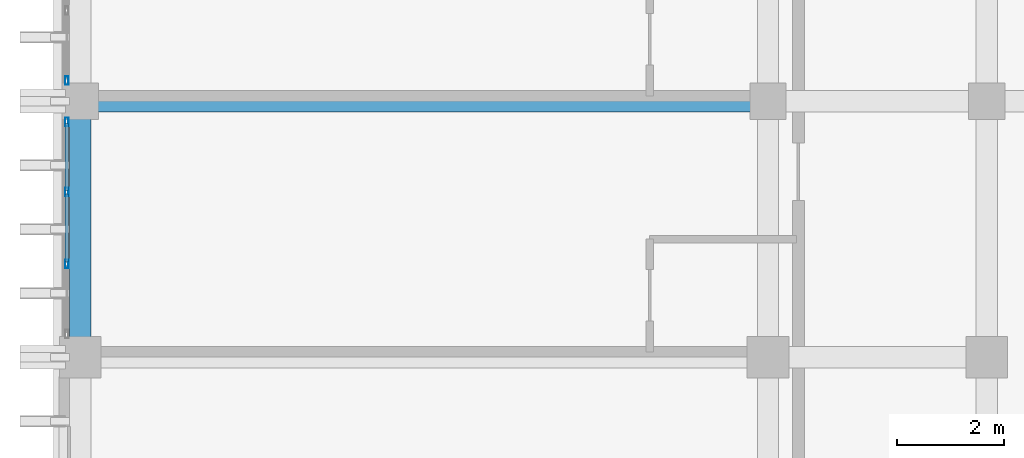
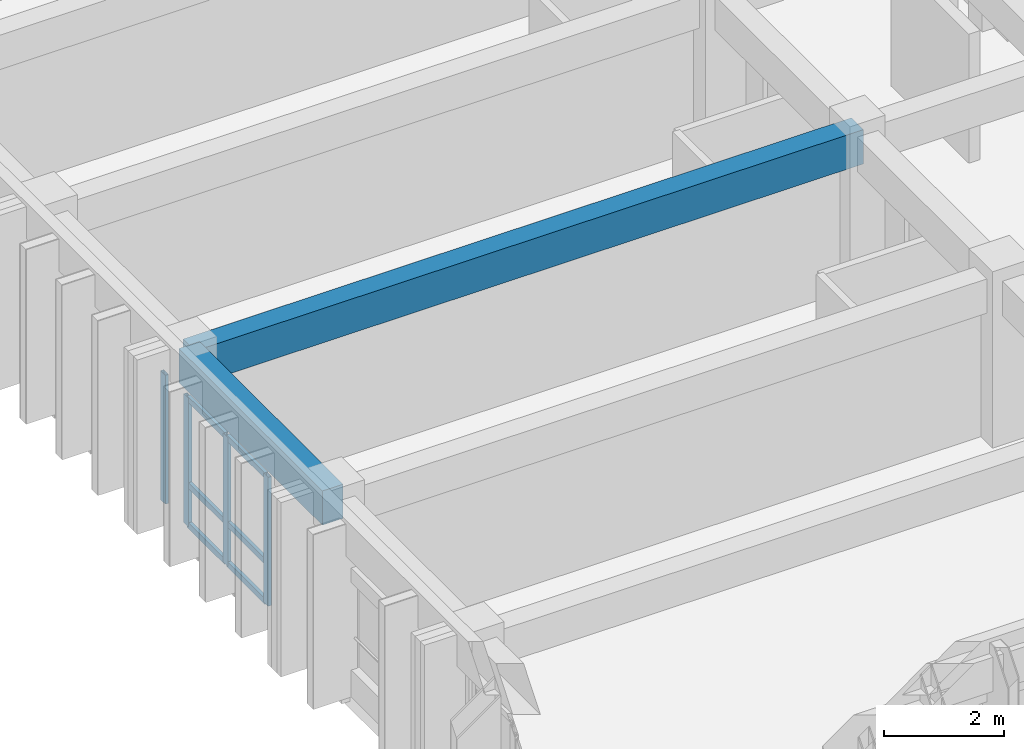
# One storey, part 9 of 68: 10 members, 2 beams, 2 elements without a shape of their own.
"""IFC4 building model written with IfcOpenShell, lengths in metres."""

from ifc_helpers import new_model, si_unit, direction, frame, origin, origin_2d, place, context, subcontext, project, spatial, rectangle, hollow_rectangle, extrude, material, layer, layer_set, material_profile, profile_set, type_object, element, aggregate, save


model = new_model("IFC4")

# Units and contexts
model_context = context("Model", 3, precision=1e-05, world=origin(), true_north=direction((0.0, 1.0)))
body_context = subcontext(model_context, "Body", "Model", "MODEL_VIEW")
ifc_project = project(units=[si_unit("LENGTHUNIT", "METRE"), si_unit("AREAUNIT", "SQUARE_METRE"), si_unit("VOLUMEUNIT", "CUBIC_METRE"), si_unit("PLANEANGLEUNIT", "RADIAN"), si_unit("MASSUNIT", "GRAM", prefix="KILO")], contexts=[model_context])

# Site, building, storey
site_placement = place(None, origin())
site = spatial("IfcSite", under=ifc_project, at=site_placement, CompositionType="ELEMENT")
building_placement = place(site_placement, origin())
building = spatial("IfcBuilding", under=site, at=building_placement, Name="Nakhvara Creek Congress Hotel", CompositionType="ELEMENT")
storey_placement = place(building_placement, frame((0.0, 0.0, 24.60009765625)))
storey = spatial("IfcBuildingStorey", under=building, at=storey_placement, Name="L05", CompositionType="ELEMENT", Elevation=24.60009765625)

# Beams
ifc_material_1 = material(Name="Concrete C40/50", Category="concrete")
ifc_material_profile_1 = material_profile(ifc_material_1, rectangle(XDim=0.39990234375, YDim=0.699951171875, at=origin_2d()), Name="RC-BM 400x700", Category="LoadBearing")
ifc_profile_set_1 = profile_set([ifc_material_profile_1], Name="Concrete C40/50")
beam_type = type_object("IfcBeamType", Name="BM-RC-400X700", PredefinedType="BEAM", material=ifc_profile_set_1)
beam_1_placement = place(storey_placement, frame((149.449951171875, 38.39990234375, 2.989990234375), z_axis=(0.0, 1.0, 0.0), x_axis=(-1.0, 0.0, 0.0)))
element("IfcBeam", 1, at=beam_1_placement, inside=storey, type_object=beam_type, Name="Beam B05-L05-2062", PredefinedType="BEAM", context=body_context, shape_type="SweptSolid", body=[
    extrude(rectangle(XDim=0.39990234375, YDim=0.699951171875, at=origin_2d()), origin(), (0.0, 0.0, 1.0), 4.800048828125),
])
beam_2_placement = place(storey_placement, frame((149.449951171875, 43.199951171875, 2.989990234375), z_axis=(1.0, 0.0, 0.0), x_axis=(0.0, 1.0, 0.0)))
element("IfcBeam", 2, at=beam_2_placement, inside=storey, type_object=beam_type, Name="Beam B05-L05-2168", PredefinedType="BEAM", context=body_context, shape_type="SweptSolid", body=[
    extrude(rectangle(XDim=0.39990234375, YDim=0.699951171875, at=origin_2d()), origin(), (0.0, 0.0, 1.0), 12.900146484375),
])

# Curtain wall, members
ifc_material_2 = material(Name="Bronze-anodised aluminium AW-6063-T6 and double-silver low-E glass", Category="aluminium")
ifc_layer = layer(ifc_material_2, 0.199951171875)
ifc_layer_set = layer_set([ifc_layer], Name="Bronze-anodised aluminium AW-6063-T6 and double-silver low-E glass")
curtain_wall_type = type_object("IfcCurtainWallType", Name="CW-HTL-UNIT", PredefinedType="USERDEFINED", material=ifc_layer_set)
curtain_wall_1_placement = place(storey_placement, origin())
curtain_wall_1 = element("IfcCurtainWall", 3, at=curtain_wall_1_placement, inside=storey, type_object=curtain_wall_type, Name="Curtain Wall CW205", ObjectType="UNITISED", PredefinedType="USERDEFINED")
ifc_material_3 = material(Name="Bronze-anodised aluminium AW-6063-T6", Category="aluminium")
ifc_material_profile_2 = material_profile(ifc_material_3, hollow_rectangle(XDim=0.06494140625, YDim=0.159912109375, WallThickness=0.00390625, at=origin_2d()), Name="ALU-MULL 65x160x4", Category="LoadBearing")
ifc_profile_set_2 = profile_set([ifc_material_profile_2], Name="Bronze-anodised aluminium AW-6063-T6")
member_type_1 = type_object("IfcMemberType", Name="CW-MULL-160", PredefinedType="MULLION", material=ifc_profile_set_2)
member_1_placement = place(storey_placement, frame((149.199951171875, 40.151611328125, 0.0), z_axis=(0.0, 0.0, 1.0), x_axis=(-1.0, 0.0, 0.0)))
member_1 = element("IfcMember", 4, at=member_1_placement, type_object=member_type_1, Name="CW205 mullion 2", PredefinedType="MULLION", context=body_context, shape_type="SweptSolid", body=[
    extrude(hollow_rectangle(XDim=0.06494140625, YDim=0.159912109375, WallThickness=0.00390625, at=origin_2d()), origin(), (0.0, 0.0, 1.0), 2.6318359375),
])
member_2_placement = place(storey_placement, frame((149.199951171875, 41.498291015625, 0.0), z_axis=(0.0, 0.0, 1.0), x_axis=(-1.0, 0.0, 0.0)))
member_2 = element("IfcMember", 5, at=member_2_placement, type_object=member_type_1, Name="CW205 mullion 3", PredefinedType="MULLION", context=body_context, shape_type="SweptSolid", body=[
    extrude(hollow_rectangle(XDim=0.06494140625, YDim=0.159912109375, WallThickness=0.00390625, at=origin_2d()), origin(), (0.0, 0.0, 1.0), 2.6318359375),
])
member_3_placement = place(storey_placement, frame((149.199951171875, 42.8125, 0.0), z_axis=(0.0, 0.0, 1.0), x_axis=(-1.0, 0.0, 0.0)))
member_3 = element("IfcMember", 6, at=member_3_placement, type_object=member_type_1, Name="CW205 mullion 4", PredefinedType="MULLION", context=body_context, shape_type="SweptSolid", body=[
    extrude(hollow_rectangle(XDim=0.06494140625, YDim=0.159912109375, WallThickness=0.00390625, at=origin_2d()), origin(), (0.0, 0.0, 1.0), 2.6318359375),
])

# Curtain wall, member
curtain_wall_2_placement = place(storey_placement, origin())
curtain_wall_2 = element("IfcCurtainWall", 7, at=curtain_wall_2_placement, inside=storey, type_object=curtain_wall_type, Name="Curtain Wall CW207", ObjectType="UNITISED", PredefinedType="USERDEFINED")
member_4_placement = place(storey_placement, frame((149.199951171875, 43.58740234375, 0.0), z_axis=(0.0, 0.0, 1.0), x_axis=(-1.0, 0.0, 0.0)))
member_4 = element("IfcMember", 8, at=member_4_placement, type_object=member_type_1, Name="CW207 mullion 1", PredefinedType="MULLION", context=body_context, shape_type="SweptSolid", body=[
    extrude(hollow_rectangle(XDim=0.06494140625, YDim=0.159912109375, WallThickness=0.00390625, at=origin_2d()), origin(), (0.0, 0.0, 1.0), 2.6318359375),
])
aggregate(curtain_wall_2, [member_4])

# Member
ifc_material_profile_3 = material_profile(ifc_material_3, hollow_rectangle(XDim=0.06494140625, YDim=0.1201171875, WallThickness=0.00390625, at=origin_2d()), Name="ALU-TRAN 65x120x4", Category="LoadBearing")
ifc_profile_set_3 = profile_set([ifc_material_profile_3], Name="Bronze-anodised aluminium AW-6063-T6")
member_type_2 = type_object("IfcMemberType", Name="CW-TRAN-120", PredefinedType="USERDEFINED", material=ifc_profile_set_3)
member_5_placement = place(storey_placement, frame((149.199951171875, 40.18408203125, 0.032470703125), z_axis=(0.0, 1.0, 0.0), x_axis=(-1.0, 0.0, 0.0)))
member_5 = element("IfcMember", 9, at=member_5_placement, type_object=member_type_2, Name="CW205 transom 2.1", ObjectType="TRANSOM", PredefinedType="USERDEFINED", context=body_context, shape_type="SweptSolid", body=[
    extrude(hollow_rectangle(XDim=0.06494140625, YDim=0.1201171875, WallThickness=0.00390625, at=origin_2d()), origin(), (0.0, 0.0, 1.0), 1.28173828125),
])

member_6_placement = place(storey_placement, frame((149.199951171875, 40.18408203125, 0.849853515625), z_axis=(0.0, 1.0, 0.0), x_axis=(-1.0, 0.0, 0.0)))
member_6 = element("IfcMember", 10, at=member_6_placement, type_object=member_type_2, Name="CW205 transom 2.2", ObjectType="TRANSOM", PredefinedType="USERDEFINED", context=body_context, shape_type="SweptSolid", body=[
    extrude(hollow_rectangle(XDim=0.06494140625, YDim=0.1201171875, WallThickness=0.00390625, at=origin_2d()), origin(), (0.0, 0.0, 1.0), 1.28173828125),
])

member_7_placement = place(storey_placement, frame((149.199951171875, 40.18408203125, 2.599365234375), z_axis=(0.0, 1.0, 0.0), x_axis=(-1.0, 0.0, 0.0)))
member_7 = element("IfcMember", 11, at=member_7_placement, type_object=member_type_2, Name="CW205 transom 2.3", ObjectType="TRANSOM", PredefinedType="USERDEFINED", context=body_context, shape_type="SweptSolid", body=[
    extrude(hollow_rectangle(XDim=0.06494140625, YDim=0.1201171875, WallThickness=0.00390625, at=origin_2d()), origin(), (0.0, 0.0, 1.0), 1.28173828125),
])

member_8_placement = place(storey_placement, frame((149.199951171875, 41.53076171875, 0.032470703125), z_axis=(0.0, 1.0, 0.0), x_axis=(-1.0, 0.0, 0.0)))
member_8 = element("IfcMember", 12, at=member_8_placement, type_object=member_type_2, Name="CW205 transom 3.1", ObjectType="TRANSOM", PredefinedType="USERDEFINED", context=body_context, shape_type="SweptSolid", body=[
    extrude(hollow_rectangle(XDim=0.06494140625, YDim=0.1201171875, WallThickness=0.00390625, at=origin_2d()), origin(), (0.0, 0.0, 1.0), 1.249267578125),
])

member_9_placement = place(storey_placement, frame((149.199951171875, 41.53076171875, 0.849853515625), z_axis=(0.0, 1.0, 0.0), x_axis=(-1.0, 0.0, 0.0)))
member_9 = element("IfcMember", 13, at=member_9_placement, type_object=member_type_2, Name="CW205 transom 3.2", ObjectType="TRANSOM", PredefinedType="USERDEFINED", context=body_context, shape_type="SweptSolid", body=[
    extrude(hollow_rectangle(XDim=0.06494140625, YDim=0.1201171875, WallThickness=0.00390625, at=origin_2d()), origin(), (0.0, 0.0, 1.0), 1.249267578125),
])

member_10_placement = place(storey_placement, frame((149.199951171875, 41.53076171875, 2.599365234375), z_axis=(0.0, 1.0, 0.0), x_axis=(-1.0, 0.0, 0.0)))
member_10 = element("IfcMember", 14, at=member_10_placement, type_object=member_type_2, Name="CW205 transom 3.3", ObjectType="TRANSOM", PredefinedType="USERDEFINED", context=body_context, shape_type="SweptSolid", body=[
    extrude(hollow_rectangle(XDim=0.06494140625, YDim=0.1201171875, WallThickness=0.00390625, at=origin_2d()), origin(), (0.0, 0.0, 1.0), 1.249267578125),
])

aggregate(curtain_wall_1, [member_1, member_2, member_3, member_5, member_6, member_7, member_8, member_9, member_10])

save(model, "model.ifc")
